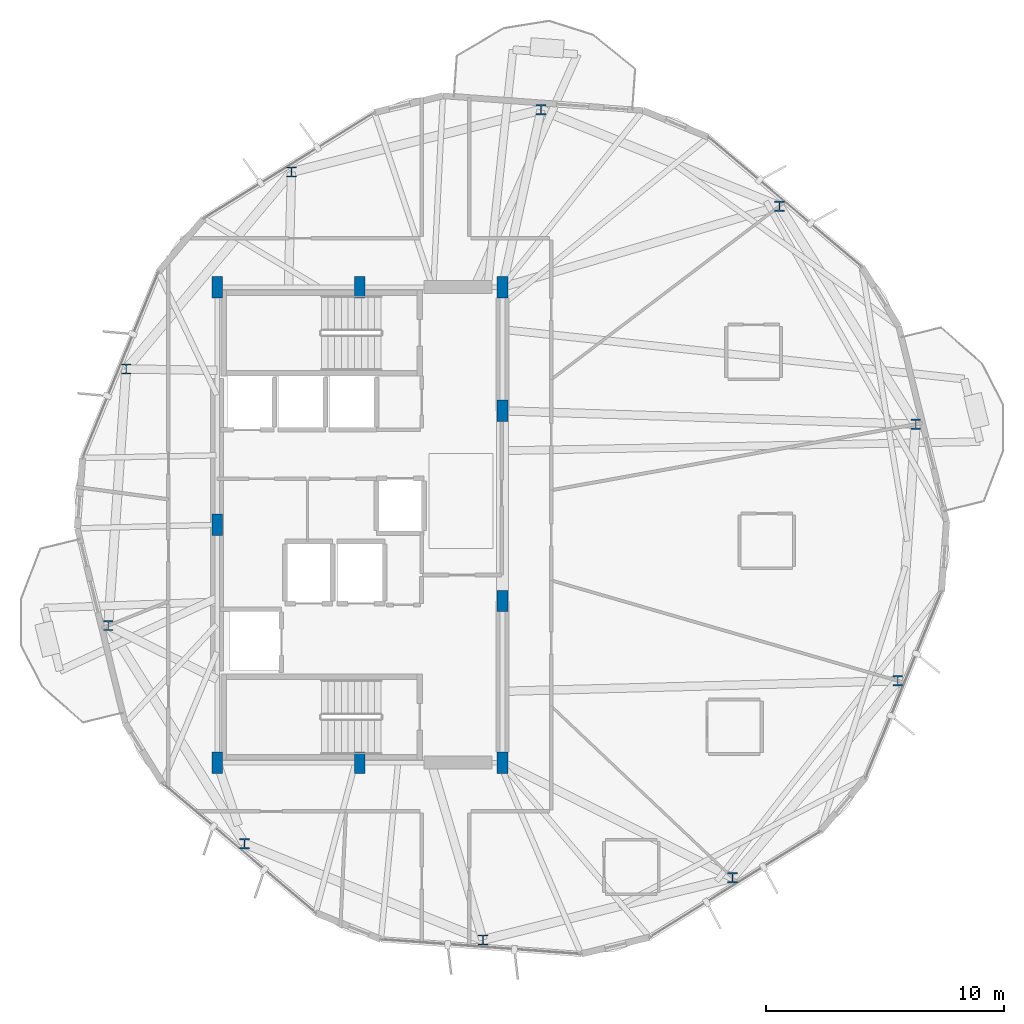
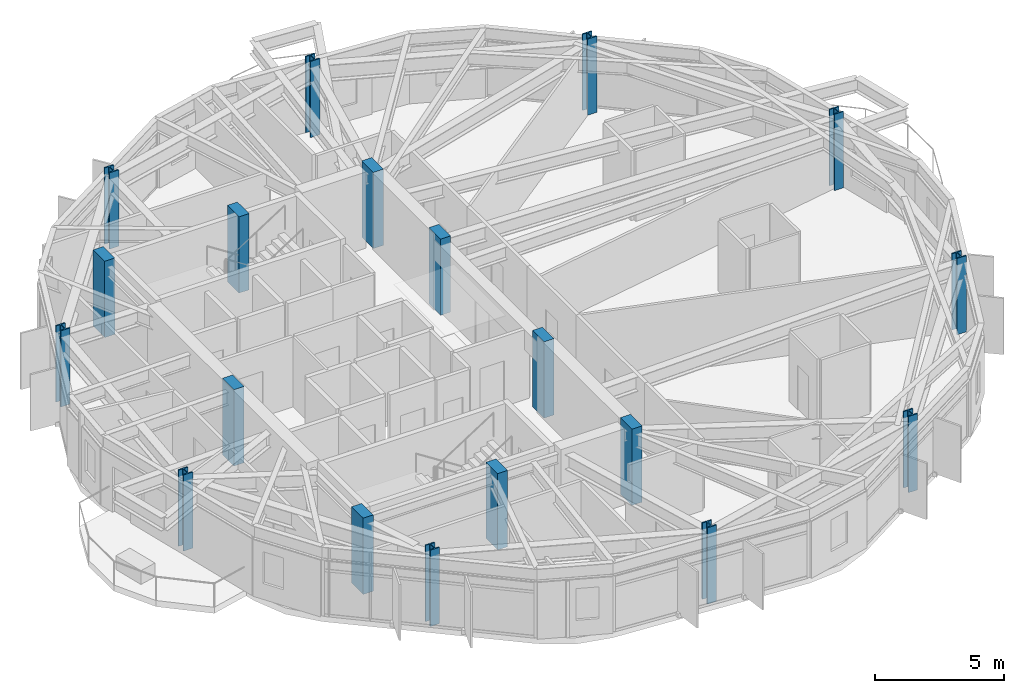
# One storey, part 1 of 21: 19 columns.
"""IFC4 building model written with IfcOpenShell, lengths in metres."""

from ifc_helpers import new_model, si_unit, direction, frame, origin, origin_2d, place, context, subcontext, project, spatial, rectangle, i_section, extrude, material, material_profile, profile_set, type_object, element, save


model = new_model("IFC4")

# Units and contexts
model_context = context("Model", 3, precision=1e-05, world=origin(), true_north=direction((0.0, 1.0)))
body_context = subcontext(model_context, "Body", "Model", "MODEL_VIEW")
ifc_project = project(units=[si_unit("LENGTHUNIT", "METRE"), si_unit("AREAUNIT", "SQUARE_METRE"), si_unit("VOLUMEUNIT", "CUBIC_METRE"), si_unit("PLANEANGLEUNIT", "RADIAN"), si_unit("MASSUNIT", "GRAM", prefix="KILO")], contexts=[model_context])

# Site, building, storey
site_placement = place(None, origin())
site = spatial("IfcSite", under=ifc_project, at=site_placement, CompositionType="ELEMENT")
building_placement = place(site_placement, origin())
building = spatial("IfcBuilding", under=site, at=building_placement, Name="Soratama Intermodal Tower", CompositionType="ELEMENT")
storey_placement = place(building_placement, frame((0.0, 0.0, 153.39990234375)))
storey = spatial("IfcBuildingStorey", under=building, at=storey_placement, Name="L37", CompositionType="ELEMENT", Elevation=153.39990234375)

# Columns
ifc_material_1 = material(Name="Structural steel ASTM A992 Grade 50", Category="steel")
ifc_material_profile_1 = material_profile(ifc_material_1, i_section(OverallWidth=0.412109375, OverallDepth=0.43505859375, WebThickness=0.035888671875, FlangeThickness=0.057373046875, FilletRadius=0.0380859375, at=origin_2d()), Name="W14X311")
ifc_profile_set_1 = profile_set([ifc_material_profile_1], Name="Structural steel ASTM A992 Grade 50")
column_type_1 = type_object("IfcColumnType", Name="COL-ZC-W14X311", PredefinedType="COLUMN", material=ifc_profile_set_1)
for number, where, z_axis, x_axis, name in (
    (1, (61.980224609375, 29.233642578125, 0.0), (0.0, 0.0, 1.0), (1.0, 0.0, 0.0), "L37 Tower Ring Column R01"),
    (2, (56.248779296875, 38.40576171875, 0.0), (0.0, 0.0, 1.0), (1.0, 0.0, 0.0), "L37 Tower Ring Column R02"),
    (3, (46.220703125, 42.45751953125, 0.0), (0.0, 0.0, 1.0), (1.0, 0.0, 0.0), "L37 Tower Ring Column R03"),
    (4, (35.726318359375, 39.8408203125, 0.0), (0.0, 0.0, 1.0), (1.0, 0.0, 0.0), "L37 Tower Ring Column R04"),
    (5, (28.7744140625, 31.5556640625, 0.0), (0.0, 0.0, 1.0), (1.0, 0.0, 0.0), "L37 Tower Ring Column R05"),
    (6, (28.019775390625, 20.766357421875, 0.0), (0.0, 0.0, 1.0), (1.0, 0.0, 0.0), "L37 Tower Ring Column R06"),
    (7, (33.751220703125, 11.59423828125, 0.0), (0.0, 0.0, 1.0), (1.0, 0.0, 0.0), "L37 Tower Ring Column R07"),
    (8, (43.779296875, 7.54248046875, 0.0), (0.0, 0.0, 1.0), (1.0, 0.0, 0.0), "L37 Tower Ring Column R08"),
    (9, (54.273681640625, 10.1591796875, 0.0), (0.0, 0.0, 1.0), (1.0, 0.0, 0.0), "L37 Tower Ring Column R09"),
    (10, (61.2255859375, 18.4443359375, 0.0), (0.0, 0.0, 1.0), (1.0, 0.0, 0.0), "L37 Tower Ring Column R10"),
):
    element("IfcColumn", number, at=place(storey_placement, frame(where, z_axis=z_axis, x_axis=x_axis)), inside=storey, type_object=column_type_1, Name=name, PredefinedType="COLUMN", context=body_context, shape_type="SweptSolid", body=[
        extrude(i_section(OverallWidth=0.412109375, OverallDepth=0.43505859375, WebThickness=0.035888671875, FlangeThickness=0.057373046875, FilletRadius=0.0380859375, at=origin_2d()), origin(), (0.0, 0.0, 1.0), 3.60009765625),
    ])
ifc_material_2 = material(Name="Concrete f'c 56 MPa", Category="concrete")
ifc_material_profile_2 = material_profile(ifc_material_2, rectangle(XDim=0.449951171875, YDim=0.89990234375, at=origin_2d()), Name="RC450X900")
ifc_profile_set_2 = profile_set([ifc_material_profile_2], Name="Concrete f'c 56 MPa")
column_type_2 = type_object("IfcColumnType", Name="PIL-CORE-450X900", PredefinedType="PILASTER", material=ifc_profile_set_2)
for number, where, z_axis, x_axis, name in (
    (11, (32.60009765625, 15.0, 0.0), (0.0, 0.0, 1.0), (1.0, 0.0, 0.0), "L37 Core Pilaster 1"),
    (12, (32.60009765625, 25.0, 0.0), (0.0, 0.0, 1.0), (1.0, 0.0, 0.0), "L37 Core Pilaster 2"),
    (13, (32.60009765625, 35.0, 0.0), (0.0, 0.0, 1.0), (1.0, 0.0, 0.0), "L37 Core Pilaster 3"),
    (14, (38.60009765625, 15.0, 0.0), (0.0, 0.0, 1.0), (1.0, 0.0, 0.0), "L37 Core Pilaster 4"),
    (15, (38.60009765625, 35.0, 0.0), (0.0, 0.0, 1.0), (1.0, 0.0, 0.0), "L37 Core Pilaster 5"),
    (16, (44.60009765625, 15.0, 0.0), (0.0, 0.0, 1.0), (1.0, 0.0, 0.0), "L37 Core Pilaster 6"),
    (17, (44.60009765625, 21.800048828125, 0.0), (0.0, 0.0, 1.0), (1.0, 0.0, 0.0), "L37 Core Pilaster 7"),
    (18, (44.60009765625, 29.800048828125, 0.0), (0.0, 0.0, 1.0), (1.0, 0.0, 0.0), "L37 Core Pilaster 8"),
    (19, (44.60009765625, 35.0, 0.0), (0.0, 0.0, 1.0), (1.0, 0.0, 0.0), "L37 Core Pilaster 9"),
):
    element("IfcColumn", number, at=place(storey_placement, frame(where, z_axis=z_axis, x_axis=x_axis)), inside=storey, type_object=column_type_2, Name=name, PredefinedType="PILASTER", context=body_context, shape_type="SweptSolid", body=[
        extrude(rectangle(XDim=0.449951171875, YDim=0.89990234375, at=origin_2d()), origin(), (0.0, 0.0, 1.0), 3.60009765625),
    ])

save(model, "model.ifc")
